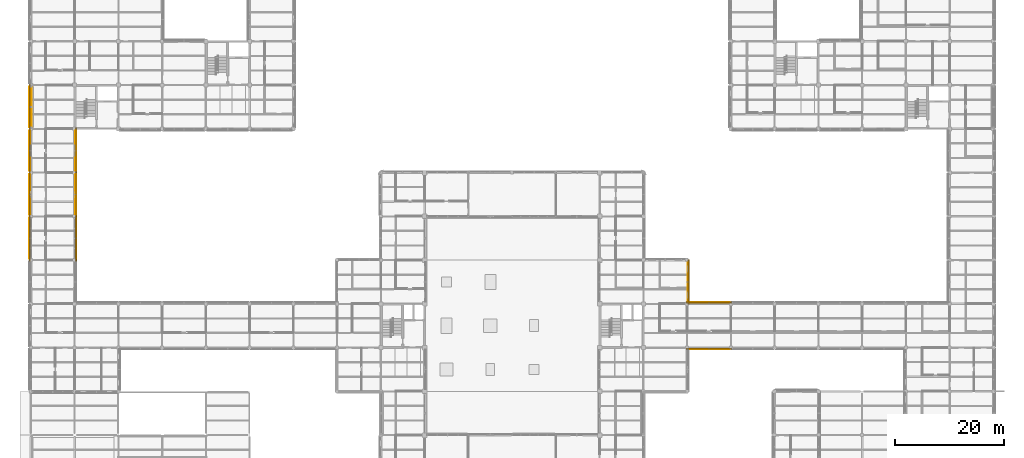
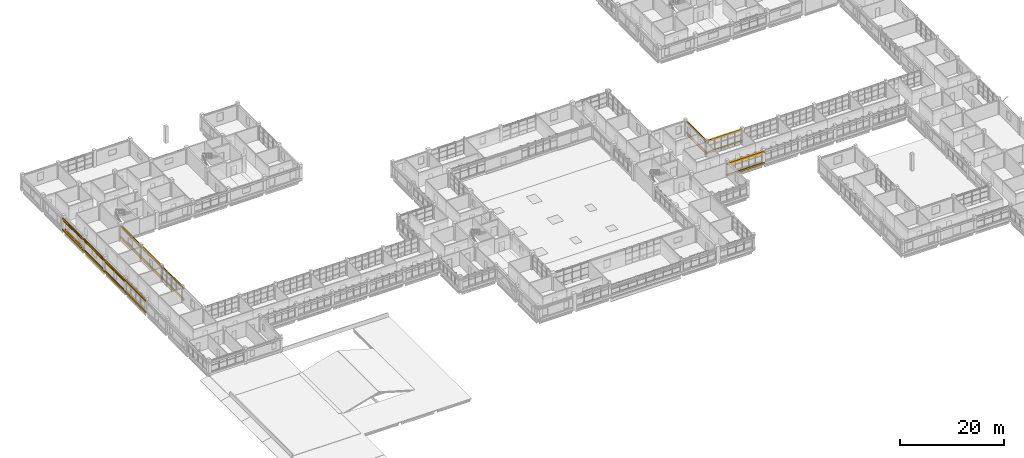
# One storey, part 98 of 107: 26 coverings, 15 shading devices.
"""IFC4 building model written with IfcOpenShell, lengths in metres."""

from ifc_helpers import new_model, si_unit, derived_unit, direction, frame, origin, origin_2d, place, context, subcontext, project, spatial, rectangle, circle, extrude, material, layer, layer_set, material_profile, profile_set, type_object, element, save


model = new_model("IFC4")

# Units and contexts
model_context = context("Model", 3, precision=1e-05, world=origin(), true_north=direction((0.0, 1.0)))
body_context = subcontext(model_context, "Body", "Model", "MODEL_VIEW")
ifc_project = project(units=[si_unit("LENGTHUNIT", "METRE"), si_unit("AREAUNIT", "SQUARE_METRE"), si_unit("VOLUMEUNIT", "CUBIC_METRE"), si_unit("PLANEANGLEUNIT", "RADIAN"), si_unit("MASSUNIT", "GRAM", prefix="KILO"), derived_unit("THERMALTRANSMITTANCEUNIT", [(si_unit("MASSUNIT", "GRAM", prefix="KILO"), 1), (si_unit("TIMEUNIT", "SECOND"), -3), (si_unit("THERMODYNAMICTEMPERATUREUNIT", "KELVIN"), -1)])], contexts=[model_context])

# Site, building, storey
site_placement = place(None, origin())
site = spatial("IfcSite", under=ifc_project, at=site_placement, CompositionType="ELEMENT")
building_placement = place(site_placement, origin())
building = spatial("IfcBuilding", under=site, at=building_placement, Name="Veyamyaing Civic Hall", CompositionType="ELEMENT")
storey_placement = place(building_placement, frame((0.0, 0.0, 13.860107421875)))
storey = spatial("IfcBuildingStorey", under=building, at=storey_placement, Name="L03", CompositionType="ELEMENT", Elevation=13.860107421875)

# Coverings
ifc_material_1 = material(Name="Buff sandstone ashlar cladding", Category="masonry")
ifc_layer_1 = layer(ifc_material_1, 0.050048828125, Name="Buff sandstone ashlar cladding")
ifc_layer_set_1 = layer_set([ifc_layer_1], Name="Buff sandstone ashlar cladding")
covering_type_1 = type_object("IfcCoveringType", Name="CL-01", PredefinedType="CLADDING", material=ifc_layer_set_1)
for number, where, z_axis, x_axis, name in (
    (1, (-0.160888671875, 75.97509765625, 0.044921875), (0.0, 0.0, 1.0), (0.0, 1.0, 0.0), "Facade spandrel cladding CL-01 L03 W 1.10"),
    (2, (8.160888671875, 75.97509765625, 0.044921875), (0.0, 0.0, 1.0), (0.0, 1.0, 0.0), "Facade spandrel cladding CL-01 L03 E 1.10"),
):
    element("IfcCovering", number, at=place(storey_placement, frame(where, z_axis=z_axis, x_axis=x_axis)), inside=storey, type_object=covering_type_1, Name=name, PredefinedType="CLADDING", context=body_context, shape_type="SweptSolid", body=[
        extrude(rectangle(XDim=7.35009765625, YDim=0.050048828125, at=origin_2d()), origin(), (0.0, 0.0, 1.0), 0.75),
    ])
covering_1_placement = place(storey_placement, frame((0.138916015625, 92.0, 0.044921875), z_axis=(0.0, 0.0, 1.0), x_axis=(0.0, 1.0, 0.0)))
element("IfcCovering", 3, at=covering_1_placement, inside=storey, type_object=covering_type_1, Name="Facade spandrel cladding CL-01 L03 W 1.12", PredefinedType="CLADDING", context=body_context, shape_type="SweptSolid", body=[
    extrude(rectangle(XDim=7.300048828125, YDim=0.050048828125, at=origin_2d()), origin(), (0.0, 0.0, 1.0), 0.75),
])
covering_2_placement = place(storey_placement, frame((120.173583984375, 60.0, 0.044921875), z_axis=(0.0, 0.0, 1.0), x_axis=(0.0, 1.0, 0.0)))
element("IfcCovering", 4, at=covering_2_placement, inside=storey, type_object=covering_type_1, Name="Facade spandrel cladding CL-01 L03 E 15.8", PredefinedType="CLADDING", context=body_context, shape_type="SweptSolid", body=[
    extrude(rectangle(XDim=7.39990234375, YDim=0.050048828125, at=origin_2d()), origin(), (0.0, 0.0, 1.0), 0.75),
])
ifc_material_2 = material(Name="Turquoise glazed ceramic tile cladding", Category="masonry")
ifc_layer_2 = layer(ifc_material_2, 0.034912109375, Name="Turquoise glazed ceramic tile cladding")
ifc_layer_set_2 = layer_set([ifc_layer_2], Name="Turquoise glazed ceramic tile cladding")
covering_type_2 = type_object("IfcCoveringType", Name="CL-02", PredefinedType="CLADDING", material=ifc_layer_set_2)
covering_3_placement = place(storey_placement, frame((-0.153564453125, 84.0, 0.044921875), z_axis=(0.0, 0.0, 1.0), x_axis=(0.0, 1.0, 0.0)))
element("IfcCovering", 5, at=covering_3_placement, inside=storey, type_object=covering_type_2, Name="Facade spandrel cladding CL-02 L03 W 1.11", PredefinedType="CLADDING", context=body_context, shape_type="SweptSolid", body=[
    extrude(rectangle(XDim=7.300048828125, YDim=0.034912109375, at=origin_2d()), origin(), (0.0, 0.0, 1.0), 0.75),
])
covering_4_placement = place(storey_placement, frame((8.153564453125, 83.987548828125, 0.044921875), z_axis=(0.0, 0.0, 1.0), x_axis=(0.0, 1.0, 0.0)))
element("IfcCovering", 6, at=covering_4_placement, inside=storey, type_object=covering_type_2, Name="Facade spandrel cladding CL-02 L03 E 1.11", PredefinedType="CLADDING", context=body_context, shape_type="SweptSolid", body=[
    extrude(rectangle(XDim=7.27490234375, YDim=0.034912109375, at=origin_2d()), origin(), (0.0, 0.0, 1.0), 0.75),
])
ifc_material_3 = material(Name="White powder-coated aluminium 6063-T6", Category="aluminium")
ifc_layer_3 = layer(ifc_material_3, 0.2099609375, Name="White powder-coated aluminium 6063-T6")
ifc_layer_set_3 = layer_set([ifc_layer_3], Name="White powder-coated aluminium 6063-T6")
covering_type_3 = type_object("IfcCoveringType", Name="CL-03", PredefinedType="CLADDING", material=ifc_layer_set_3)
for number, where, z_axis, x_axis, name in (
    (7, (-0.239990234375, 68.0, 2.987060546875), (0.0, 0.0, 1.0), (0.0, 1.0, 0.0), "Continuous white head fascia ribbon CL-03 L03 W 1.9"),
    (8, (-0.239990234375, 68.0, 0.280029296875), (0.0, 0.0, 1.0), (0.0, 1.0, 0.0), "Continuous white sill fascia ribbon CL-03 L03 W 1.9"),
    (9, (8.239990234375, 68.0, 2.919921875), (0.0, 0.0, 1.0), (0.0, 1.0, 0.0), "Continuous white head fascia ribbon CL-03 L03 E 1.9"),
    (10, (8.239990234375, 68.0, 0.280029296875), (0.0, 0.0, 1.0), (0.0, 1.0, 0.0), "Continuous white sill fascia ribbon CL-03 L03 E 1.9"),
    (11, (-0.239990234375, 76.0, 2.919921875), (0.0, 0.0, 1.0), (0.0, 1.0, 0.0), "Continuous white head fascia ribbon CL-03 L03 W 1.10"),
    (12, (-0.239990234375, 76.0, 0.280029296875), (0.0, 0.0, 1.0), (0.0, 1.0, 0.0), "Continuous white sill fascia ribbon CL-03 L03 W 1.10"),
    (13, (8.239990234375, 76.0, 2.98388671875), (0.0, 0.0, 1.0), (0.0, 1.0, 0.0), "Continuous white head fascia ribbon CL-03 L03 E 1.10"),
    (14, (8.239990234375, 76.0, 0.280029296875), (0.0, 0.0, 1.0), (0.0, 1.0, 0.0), "Continuous white sill fascia ribbon CL-03 L03 E 1.10"),
    (15, (-0.239990234375, 84.0, 2.98388671875), (0.0, 0.0, 1.0), (0.0, 1.0, 0.0), "Continuous white head fascia ribbon CL-03 L03 W 1.11"),
    (16, (-0.239990234375, 84.0, 0.280029296875), (0.0, 0.0, 1.0), (0.0, 1.0, 0.0), "Continuous white sill fascia ribbon CL-03 L03 W 1.11"),
    (17, (8.239990234375, 84.0, 2.923828125), (0.0, 0.0, 1.0), (0.0, 1.0, 0.0), "Continuous white head fascia ribbon CL-03 L03 E 1.11"),
    (18, (8.239990234375, 84.0, 0.280029296875), (0.0, 0.0, 1.0), (0.0, 1.0, 0.0), "Continuous white sill fascia ribbon CL-03 L03 E 1.11"),
    (19, (-0.239990234375, 92.0, 2.923828125), (0.0, 0.0, 1.0), (0.0, 1.0, 0.0), "Continuous white head fascia ribbon CL-03 L03 W 1.12"),
    (20, (-0.239990234375, 92.0, 0.280029296875), (0.0, 0.0, 1.0), (0.0, 1.0, 0.0), "Continuous white sill fascia ribbon CL-03 L03 W 1.12"),
):
    element("IfcCovering", number, at=place(storey_placement, frame(where, z_axis=z_axis, x_axis=x_axis)), inside=storey, type_object=covering_type_3, Name=name, PredefinedType="CLADDING", context=body_context, shape_type="SweptSolid", body=[
        extrude(rectangle(XDim=8.360107421875, YDim=0.2099609375, at=origin_2d()), origin(), (0.0, 0.0, 1.0), 0.39990234375),
    ])
for number, where, z_axis, x_axis, name in (
    (21, (120.239990234375, 60.0, 2.98388671875), (0.0, 0.0, 1.0), (0.0, 1.0, 0.0), "Continuous white head fascia ribbon CL-03 L03 E 15.8"),
    (22, (120.239990234375, 60.0, 0.280029296875), (0.0, 0.0, 1.0), (0.0, 1.0, 0.0), "Continuous white sill fascia ribbon CL-03 L03 E 15.8"),
):
    element("IfcCovering", number, at=place(storey_placement, frame(where, z_axis=z_axis, x_axis=x_axis)), inside=storey, type_object=covering_type_3, Name=name, PredefinedType="CLADDING", context=body_context, shape_type="SweptSolid", body=[
        extrude(rectangle(XDim=8.1201171875, YDim=0.2099609375, at=origin_2d()), origin(), (0.0, 0.0, 1.0), 0.39990234375),
    ])
for number, where, z_axis, x_axis, name in (
    (23, (124.0, 47.760009765625, 2.919921875), (0.0, 0.0, 1.0), (1.0, 0.0, 0.0), "Continuous white head fascia ribbon CL-03 L03 S 16.7"),
    (24, (124.0, 47.760009765625, 0.280029296875), (0.0, 0.0, 1.0), (1.0, 0.0, 0.0), "Continuous white sill fascia ribbon CL-03 L03 S 16.7"),
    (25, (124.0, 56.239990234375, 2.98388671875), (0.0, 0.0, 1.0), (1.0, 0.0, 0.0), "Continuous white head fascia ribbon CL-03 L03 N 16.7"),
    (26, (124.0, 56.239990234375, 0.280029296875), (0.0, 0.0, 1.0), (1.0, 0.0, 0.0), "Continuous white sill fascia ribbon CL-03 L03 N 16.7"),
):
    element("IfcCovering", number, at=place(storey_placement, frame(where, z_axis=z_axis, x_axis=x_axis)), inside=storey, type_object=covering_type_3, Name=name, PredefinedType="CLADDING", context=body_context, shape_type="SweptSolid", body=[
        extrude(rectangle(XDim=8.360107421875, YDim=0.2099609375, at=origin_2d()), origin(), (0.0, 0.0, 1.0), 0.39990234375),
    ])

# Shading devices
ifc_material_4 = material(Name="Anodised aluminium 6063-T6", Category="aluminium")
ifc_material_profile_1 = material_profile(ifc_material_4, rectangle(XDim=0.050048828125, YDim=0.25, at=origin_2d()), Name="LOUVRE-BLADE-50X250")
ifc_profile_set_1 = profile_set([ifc_material_profile_1], Name="Anodised aluminium 6063-T6")
shading_device_type_1 = type_object("IfcShadingDeviceType", Name="LV-01", PredefinedType="JALOUSIE", material=ifc_profile_set_1)
for number, where, z_axis, x_axis, name in (
    (27, (-0.219970703125, 72.260009765625, 2.75), (0.0, 1.0, 0.0), (-1.0, 0.0, 0.0), "Monsoon solar louvre LV-01 L03 W 1.10"),
    (28, (8.219970703125, 72.260009765625, 2.81396484375), (0.0, 1.0, 0.0), (-1.0, 0.0, 0.0), "Monsoon solar louvre LV-01 L03 E 1.10"),
):
    element("IfcShadingDevice", number, at=place(storey_placement, frame(where, z_axis=z_axis, x_axis=x_axis)), inside=storey, type_object=shading_device_type_1, Name=name, PredefinedType="JALOUSIE", context=body_context, shape_type="SweptSolid", body=[
        extrude(rectangle(XDim=0.050048828125, YDim=0.25, at=origin_2d()), origin(), (0.0, 0.0, 1.0), 7.429931640625),
    ])
shading_device_1_placement = place(storey_placement, frame((-0.219970703125, 80.31005859375, 2.81396484375), z_axis=(0.0, 1.0, 0.0), x_axis=(-1.0, 0.0, 0.0)))
element("IfcShadingDevice", 29, at=shading_device_1_placement, inside=storey, type_object=shading_device_type_1, Name="Monsoon solar louvre LV-01 L03 W 1.11", PredefinedType="JALOUSIE", context=body_context, shape_type="SweptSolid", body=[
    extrude(rectangle(XDim=0.050048828125, YDim=0.25, at=origin_2d()), origin(), (0.0, 0.0, 1.0), 7.3798828125),
])
shading_device_2_placement = place(storey_placement, frame((8.219970703125, 80.31005859375, 2.75390625), z_axis=(0.0, 1.0, 0.0), x_axis=(-1.0, 0.0, 0.0)))
element("IfcShadingDevice", 30, at=shading_device_2_placement, inside=storey, type_object=shading_device_type_1, Name="Monsoon solar louvre LV-01 L03 E 1.11", PredefinedType="JALOUSIE", context=body_context, shape_type="SweptSolid", body=[
    extrude(rectangle(XDim=0.050048828125, YDim=0.25, at=origin_2d()), origin(), (0.0, 0.0, 1.0), 7.35498046875),
])
shading_device_3_placement = place(storey_placement, frame((-0.219970703125, 88.31005859375, 2.75390625), z_axis=(0.0, 1.0, 0.0), x_axis=(-1.0, 0.0, 0.0)))
element("IfcShadingDevice", 31, at=shading_device_3_placement, inside=storey, type_object=shading_device_type_1, Name="Monsoon solar louvre LV-01 L03 W 1.12", PredefinedType="JALOUSIE", context=body_context, shape_type="SweptSolid", body=[
    extrude(rectangle(XDim=0.050048828125, YDim=0.25, at=origin_2d()), origin(), (0.0, 0.0, 1.0), 7.3798828125),
])
ifc_material_profile_2 = material_profile(ifc_material_3, circle(Radius=0.110107421875, at=origin_2d()), Name="SHADE-TUBE-220")
ifc_profile_set_2 = profile_set([ifc_material_profile_2], Name="White powder-coated aluminium 6063-T6")
shading_device_type_2 = type_object("IfcShadingDeviceType", Name="SH-01", PredefinedType="USERDEFINED", material=ifc_profile_set_2)
shading_device_4_placement = place(storey_placement, frame((120.239990234375, 56.260009765625, 3.143798828125), z_axis=(0.0, 1.0, 0.0), x_axis=(-1.0, 0.0, 0.0)))
element("IfcShadingDevice", 32, at=shading_device_4_placement, inside=storey, type_object=shading_device_type_2, Name="Horizontal white sunshade ribbon SH-01 L03 E 15.8", ObjectType="SUNSHADE", PredefinedType="USERDEFINED", context=body_context, shape_type="SweptSolid", body=[
    extrude(circle(Radius=0.110107421875, at=origin_2d()), origin(), (0.0, 0.0, 1.0), 7.47998046875),
])
ifc_material_profile_3 = material_profile(ifc_material_3, circle(Radius=0.090087890625, at=origin_2d()), Name="SHADE-TUBE-180")
ifc_profile_set_3 = profile_set([ifc_material_profile_3], Name="White powder-coated aluminium 6063-T6")
shading_device_type_3 = type_object("IfcShadingDeviceType", Name="SH-02", PredefinedType="USERDEFINED", material=ifc_profile_set_3)
for number, where, z_axis, x_axis, name in (
    (33, (-0.239990234375, 64.260009765625, 3.14697265625), (0.0, 1.0, 0.0), (-1.0, 0.0, 0.0), "Horizontal white sunshade ribbon SH-02 L03 W 1.9"),
    (34, (8.239990234375, 64.260009765625, 3.079833984375), (0.0, 1.0, 0.0), (-1.0, 0.0, 0.0), "Horizontal white sunshade ribbon SH-02 L03 E 1.9"),
):
    element("IfcShadingDevice", number, at=place(storey_placement, frame(where, z_axis=z_axis, x_axis=x_axis)), inside=storey, type_object=shading_device_type_3, Name=name, ObjectType="SUNSHADE", PredefinedType="USERDEFINED", context=body_context, shape_type="SweptSolid", body=[
        extrude(circle(Radius=0.090087890625, at=origin_2d()), origin(), (0.0, 0.0, 1.0), 7.47998046875),
    ])
for number, where, z_axis, x_axis, name in (
    (35, (-0.239990234375, 72.260009765625, 3.079833984375), (0.0, 1.0, 0.0), (-1.0, 0.0, 0.0), "Horizontal white sunshade ribbon SH-02 L03 W 1.10"),
    (36, (8.239990234375, 72.260009765625, 3.143798828125), (0.0, 1.0, 0.0), (-1.0, 0.0, 0.0), "Horizontal white sunshade ribbon SH-02 L03 E 1.10"),
):
    element("IfcShadingDevice", number, at=place(storey_placement, frame(where, z_axis=z_axis, x_axis=x_axis)), inside=storey, type_object=shading_device_type_3, Name=name, ObjectType="SUNSHADE", PredefinedType="USERDEFINED", context=body_context, shape_type="SweptSolid", body=[
        extrude(circle(Radius=0.090087890625, at=origin_2d()), origin(), (0.0, 0.0, 1.0), 7.429931640625),
    ])
shading_device_5_placement = place(storey_placement, frame((-0.239990234375, 80.31005859375, 3.143798828125), z_axis=(0.0, 1.0, 0.0), x_axis=(-1.0, 0.0, 0.0)))
element("IfcShadingDevice", 37, at=shading_device_5_placement, inside=storey, type_object=shading_device_type_3, Name="Horizontal white sunshade ribbon SH-02 L03 W 1.11", ObjectType="SUNSHADE", PredefinedType="USERDEFINED", context=body_context, shape_type="SweptSolid", body=[
    extrude(circle(Radius=0.090087890625, at=origin_2d()), origin(), (0.0, 0.0, 1.0), 7.3798828125),
])
shading_device_6_placement = place(storey_placement, frame((8.239990234375, 80.31005859375, 3.083984375), z_axis=(0.0, 1.0, 0.0), x_axis=(-1.0, 0.0, 0.0)))
element("IfcShadingDevice", 38, at=shading_device_6_placement, inside=storey, type_object=shading_device_type_3, Name="Horizontal white sunshade ribbon SH-02 L03 E 1.11", ObjectType="SUNSHADE", PredefinedType="USERDEFINED", context=body_context, shape_type="SweptSolid", body=[
    extrude(circle(Radius=0.090087890625, at=origin_2d()), origin(), (0.0, 0.0, 1.0), 7.35498046875),
])
shading_device_7_placement = place(storey_placement, frame((-0.239990234375, 88.31005859375, 3.083984375), z_axis=(0.0, 1.0, 0.0), x_axis=(-1.0, 0.0, 0.0)))
element("IfcShadingDevice", 39, at=shading_device_7_placement, inside=storey, type_object=shading_device_type_3, Name="Horizontal white sunshade ribbon SH-02 L03 W 1.12", ObjectType="SUNSHADE", PredefinedType="USERDEFINED", context=body_context, shape_type="SweptSolid", body=[
    extrude(circle(Radius=0.090087890625, at=origin_2d()), origin(), (0.0, 0.0, 1.0), 7.3798828125),
])
for number, where, z_axis, x_axis, name in (
    (40, (120.260009765625, 47.760009765625, 3.079833984375), (1.0, 0.0, 0.0), (0.0, 1.0, 0.0), "Horizontal white sunshade ribbon SH-02 L03 S 16.7"),
    (41, (120.260009765625, 56.239990234375, 3.143798828125), (1.0, 0.0, 0.0), (0.0, 1.0, 0.0), "Horizontal white sunshade ribbon SH-02 L03 N 16.7"),
):
    element("IfcShadingDevice", number, at=place(storey_placement, frame(where, z_axis=z_axis, x_axis=x_axis)), inside=storey, type_object=shading_device_type_3, Name=name, ObjectType="SUNSHADE", PredefinedType="USERDEFINED", context=body_context, shape_type="SweptSolid", body=[
        extrude(circle(Radius=0.090087890625, at=origin_2d()), origin(), (0.0, 0.0, 1.0), 7.47998046875),
    ])

save(model, "model.ifc")
